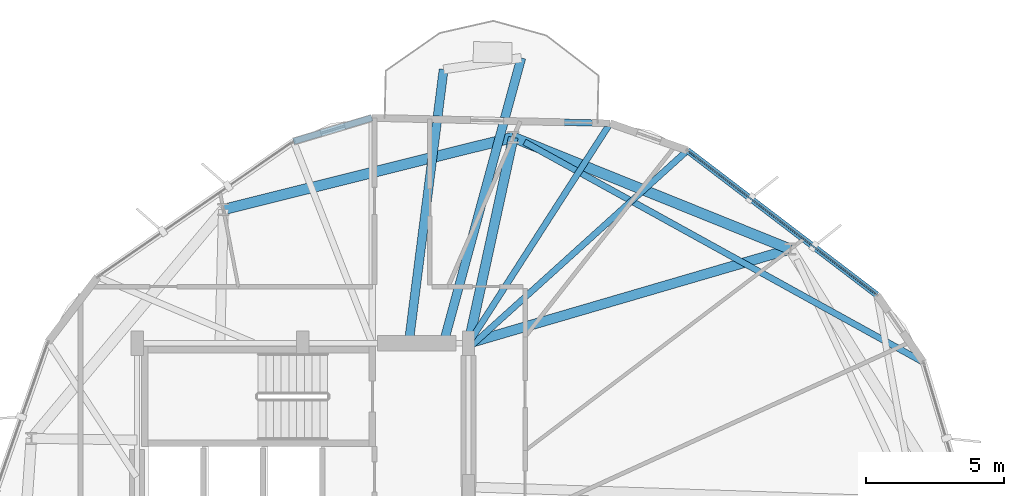
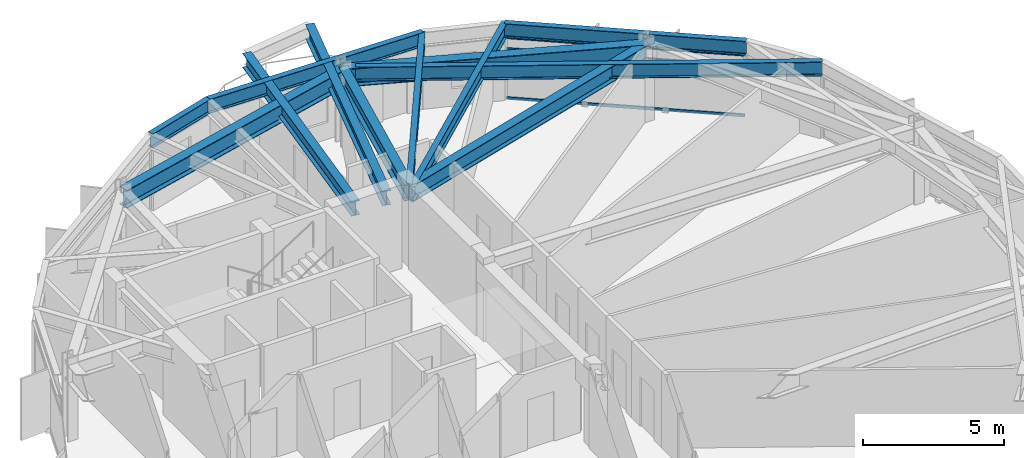
# One storey, part 12 of 22: 12 beams, 3 members, 1 element without a shape of its own.
"""IFC4 building model written with IfcOpenShell, lengths in metres."""

from ifc_helpers import new_model, si_unit, direction, frame, origin, origin_2d, place, context, subcontext, project, spatial, hollow_rectangle, i_section, extrude, material, layer, layer_set, material_profile, profile_set, type_object, element, aggregate, save


model = new_model("IFC4")

# Units and contexts
model_context = context("Model", 3, precision=1e-05, world=origin(), true_north=direction((0.0, 1.0)))
body_context = subcontext(model_context, "Body", "Model", "MODEL_VIEW")
ifc_project = project(units=[si_unit("LENGTHUNIT", "METRE"), si_unit("AREAUNIT", "SQUARE_METRE"), si_unit("VOLUMEUNIT", "CUBIC_METRE"), si_unit("PLANEANGLEUNIT", "RADIAN"), si_unit("MASSUNIT", "GRAM", prefix="KILO")], contexts=[model_context])

# Site, building, storey
site_placement = place(None, origin())
site = spatial("IfcSite", under=ifc_project, at=site_placement, CompositionType="ELEMENT")
building_placement = place(site_placement, origin())
building = spatial("IfcBuilding", under=site, at=building_placement, Name="Soratama Intermodal Tower", CompositionType="ELEMENT")
storey_placement = place(building_placement, frame((0.0, 0.0, 160.60009765625)))
storey = spatial("IfcBuildingStorey", under=building, at=storey_placement, Name="L39", CompositionType="ELEMENT", Elevation=160.60009765625)

# Beams
ifc_material_1 = material(Name="Structural steel ASTM A992 Grade 50", Category="steel")
ifc_material_profile_1 = material_profile(ifc_material_1, i_section(OverallWidth=0.324951171875, OverallDepth=0.615966796875, WebThickness=0.013916015625, FlangeThickness=0.021484375, FilletRadius=0.013916015625, at=origin_2d()), Name="W24X117")
ifc_profile_set_1 = profile_set([ifc_material_profile_1], Name="Structural steel ASTM A992 Grade 50")
beam_type_1 = type_object("IfcBeamType", Name="BM-CANT-W24X117", PredefinedType="BEAM", material=ifc_profile_set_1)
beam_1_placement = place(storey_placement, frame((43.7041015625, 35.0390625, 2.991943359375), z_axis=(0.263045774588, 0.964783354164, 0.0), x_axis=(-0.964783354164, 0.263045774588, 0.0)))
element("IfcBeam", 1, at=beam_1_placement, inside=storey, type_object=beam_type_1, Name="BM-L39-CANT-1-1", PredefinedType="BEAM", context=body_context, shape_type="SweptSolid", body=[
    extrude(i_section(OverallWidth=0.324951171875, OverallDepth=0.615966796875, WebThickness=0.013916015625, FlangeThickness=0.021484375, FilletRadius=0.013916015625, at=origin_2d()), origin(), (0.0, 0.0, 1.0), 10.670654296875),
])
beam_2_placement = place(storey_placement, frame((42.44091796875, 35.0400390625, 2.991943359375), z_axis=(0.126448625008, 0.991973157517, 0.0), x_axis=(-0.991973157517, 0.126448625008, 0.0)))
element("IfcBeam", 2, at=beam_2_placement, inside=storey, type_object=beam_type_1, Name="BM-L39-CANT-1-2", PredefinedType="BEAM", context=body_context, shape_type="SweptSolid", body=[
    extrude(i_section(OverallWidth=0.324951171875, OverallDepth=0.615966796875, WebThickness=0.013916015625, FlangeThickness=0.021484375, FilletRadius=0.013916015625, at=origin_2d()), origin(), (0.0, 0.0, 1.0), 9.956787109375),
])
ifc_material_2 = material(Name="Structural steel ASTM A992 Grade 50", Category="steel")
ifc_material_profile_2 = material_profile(ifc_material_2, i_section(OverallWidth=0.35498046875, OverallDepth=0.695068359375, WebThickness=0.015380859375, FlangeThickness=0.02490234375, FilletRadius=0.01611328125, at=origin_2d()), Name="W27X146")
ifc_profile_set_2 = profile_set([ifc_material_profile_2], Name="Structural steel ASTM A992 Grade 50")
beam_type_2 = type_object("IfcBeamType", Name="BM-RING-W27X146", PredefinedType="BEAM", material=ifc_profile_set_2)
beam_3_placement = place(storey_placement, frame((44.60009765625, 35.0, 2.952392578125), z_axis=(0.959813691047, 0.280637984738, 0.0), x_axis=(-0.280637984738, 0.959813691047, 0.0)))
element("IfcBeam", 3, at=beam_3_placement, inside=storey, type_object=beam_type_2, Name="BM-L39-RAD-02", PredefinedType="BEAM", context=body_context, shape_type="SweptSolid", body=[
    extrude(i_section(OverallWidth=0.35498046875, OverallDepth=0.695068359375, WebThickness=0.015380859375, FlangeThickness=0.02490234375, FilletRadius=0.01611328125, at=origin_2d()), origin(), (0.0, 0.0, 1.0), 12.13671875),
])
beam_4_placement = place(storey_placement, frame((44.60009765625, 35.0, 2.952392578125), z_axis=(0.212399095304, 0.977183004515, 0.0), x_axis=(-0.977183004515, 0.212399095304, 0.0)))
element("IfcBeam", 4, at=beam_4_placement, inside=storey, type_object=beam_type_2, Name="BM-L39-RAD-03", PredefinedType="BEAM", context=body_context, shape_type="SweptSolid", body=[
    extrude(i_section(OverallWidth=0.35498046875, OverallDepth=0.695068359375, WebThickness=0.015380859375, FlangeThickness=0.02490234375, FilletRadius=0.01611328125, at=origin_2d()), origin(), (0.0, 0.0, 1.0), 7.631103515625),
])
ifc_material_3 = material(Name="Structural steel ASTM A992 Grade 50", Category="steel")
ifc_material_profile_3 = material_profile(ifc_material_3, i_section(OverallWidth=0.382080078125, OverallDepth=0.779052734375, WebThickness=0.01806640625, FlangeThickness=0.030029296875, FilletRadius=0.01806640625, at=origin_2d()), Name="W30X191")
ifc_profile_set_3 = profile_set([ifc_material_profile_3], Name="Structural steel ASTM A992 Grade 50")
beam_type_3 = type_object("IfcBeamType", Name="BM-RING-W30X191", PredefinedType="BEAM", material=ifc_profile_set_3)
beam_5_placement = place(storey_placement, frame((56.2490234375, 38.406005859375, 2.910400390625), z_axis=(-0.927202491827, 0.374560461275, 0.0), x_axis=(-0.374560461275, -0.927202491827, 0.0)))
element("IfcBeam", 5, at=beam_5_placement, inside=storey, type_object=beam_type_3, Name="BM-L39-RING-02", PredefinedType="BEAM", context=body_context, shape_type="SweptSolid", body=[
    extrude(i_section(OverallWidth=0.382080078125, OverallDepth=0.779052734375, WebThickness=0.01806640625, FlangeThickness=0.030029296875, FilletRadius=0.01806640625, at=origin_2d()), origin(), (0.0, 0.0, 1.0), 10.8154296875),
])
beam_6_placement = place(storey_placement, frame((46.220947265625, 42.45703125, 2.910400390625), z_axis=(-0.970310893227, -0.241861056155, 0.0), x_axis=(0.241861056155, -0.970310893227, 0.0)))
element("IfcBeam", 6, at=beam_6_placement, inside=storey, type_object=beam_type_3, Name="BM-L39-RING-03", PredefinedType="BEAM", context=body_context, shape_type="SweptSolid", body=[
    extrude(i_section(OverallWidth=0.382080078125, OverallDepth=0.779052734375, WebThickness=0.01806640625, FlangeThickness=0.030029296875, FilletRadius=0.01806640625, at=origin_2d()), origin(), (0.0, 0.0, 1.0), 10.81591796875),
])
ifc_material_4 = material(Name="Structural steel ASTM A992 Grade 50", Category="steel")
ifc_material_profile_4 = material_profile(ifc_material_4, i_section(OverallWidth=0.22900390625, OverallDepth=0.612060546875, WebThickness=0.011962890625, FlangeThickness=0.01953125, FilletRadius=0.012939453125, at=origin_2d()), Name="W24X84")
ifc_profile_set_4 = profile_set([ifc_material_profile_4], Name="Structural steel ASTM A992 Grade 50")
beam_type_4 = type_object("IfcBeamType", Name="BM-SPN-W24X84", PredefinedType="SPANDREL", material=ifc_profile_set_4)
beam_7_placement = place(storey_placement, frame((59.382080078125, 36.7548828125, 2.993896484375), z_axis=(-0.795290000243, 0.606229177385, 0.0), x_axis=(-0.606229177385, -0.795290000243, 0.0)))
element("IfcBeam", 7, at=beam_7_placement, inside=storey, type_object=beam_type_4, Name="BS-L39-F01", PredefinedType="SPANDREL", context=body_context, shape_type="SweptSolid", body=[
    extrude(i_section(OverallWidth=0.22900390625, OverallDepth=0.612060546875, WebThickness=0.011962890625, FlangeThickness=0.01953125, FilletRadius=0.012939453125, at=origin_2d()), origin(), (0.0, 0.0, 1.0), 8.622314453125),
])
beam_8_placement = place(storey_placement, frame((49.72607421875, 42.962890625, 2.993896484375), z_axis=(-0.999732989387, 0.023107356655, 0.0), x_axis=(-0.023107356655, -0.999732989387, 0.0)))
element("IfcBeam", 8, at=beam_8_placement, inside=storey, type_object=beam_type_4, Name="BS-L39-F02", PredefinedType="SPANDREL", context=body_context, shape_type="SweptSolid", body=[
    extrude(i_section(OverallWidth=0.22900390625, OverallDepth=0.612060546875, WebThickness=0.011962890625, FlangeThickness=0.01953125, FilletRadius=0.012939453125, at=origin_2d()), origin(), (0.0, 0.0, 1.0), 8.621337890625),
])
beam_9_placement = place(storey_placement, frame((41.10693359375, 43.162109375, 2.993896484375), z_axis=(-0.957878358082, -0.287174252187, 0.0), x_axis=(0.287174252187, -0.957878358082, 0.0)))
element("IfcBeam", 9, at=beam_9_placement, inside=storey, type_object=beam_type_4, Name="BS-L39-CRN02", PredefinedType="SPANDREL", context=body_context, shape_type="SweptSolid", body=[
    extrude(i_section(OverallWidth=0.22900390625, OverallDepth=0.612060546875, WebThickness=0.011962890625, FlangeThickness=0.01953125, FilletRadius=0.012939453125, at=origin_2d()), origin(), (0.0, 0.0, 1.0), 2.967041015625),
])
ifc_material_5 = material(Name="Structural steel ASTM A992 Grade 50", Category="steel")
ifc_material_profile_5 = material_profile(ifc_material_5, i_section(OverallWidth=0.22900390625, OverallDepth=0.612060546875, WebThickness=0.011962890625, FlangeThickness=0.01953125, FilletRadius=0.012939453125, at=origin_2d()), Name="W24X84")
ifc_profile_set_5 = profile_set([ifc_material_profile_5], Name="Structural steel ASTM A992 Grade 50")
beam_type_5 = type_object("IfcBeamType", Name="BM-TIE-W24X84", PredefinedType="BEAM", material=ifc_profile_set_5)
beam_10_placement = place(storey_placement, frame((44.6298828125, 34.846923828125, 2.993896484375), z_axis=(0.74191449819, 0.670494502122, 0.0), x_axis=(-0.670494502122, 0.74191449819, 0.0)))
element("IfcBeam", 10, at=beam_10_placement, inside=storey, type_object=beam_type_5, Name="BM-L39-TIE1-01", PredefinedType="BEAM", context=body_context, shape_type="SweptSolid", body=[
    extrude(i_section(OverallWidth=0.22900390625, OverallDepth=0.612060546875, WebThickness=0.011962890625, FlangeThickness=0.01953125, FilletRadius=0.012939453125, at=origin_2d()), origin(), (0.0, 0.0, 1.0), 10.641357421875),
])
beam_11_placement = place(storey_placement, frame((44.6220703125, 35.02392578125, 2.993896484375), z_axis=(0.540786353437, 0.841159984745, 0.0), x_axis=(-0.841159984745, 0.540786353437, 0.0)))
element("IfcBeam", 11, at=beam_11_placement, inside=storey, type_object=beam_type_5, Name="BM-L39-TIE0-02", PredefinedType="BEAM", context=body_context, shape_type="SweptSolid", body=[
    extrude(i_section(OverallWidth=0.22900390625, OverallDepth=0.612060546875, WebThickness=0.011962890625, FlangeThickness=0.01953125, FilletRadius=0.012939453125, at=origin_2d()), origin(), (0.0, 0.0, 1.0), 9.438232421875),
])
beam_12_placement = place(storey_placement, frame((46.6259765625, 42.2880859375, 2.993896484375), z_axis=(0.875475362084, -0.483262755015, 0.0), x_axis=(0.483262755015, 0.875475362084, 0.0)))
element("IfcBeam", 12, at=beam_12_placement, inside=storey, type_object=beam_type_5, Name="BM-L39-TIE1-10", PredefinedType="BEAM", context=body_context, shape_type="SweptSolid", body=[
    extrude(i_section(OverallWidth=0.22900390625, OverallDepth=0.612060546875, WebThickness=0.011962890625, FlangeThickness=0.01953125, FilletRadius=0.012939453125, at=origin_2d()), origin(), (0.0, 0.0, 1.0), 16.49853515625),
])

# Curtain wall, members
ifc_material_6 = material(Name="Double-glazed aluminium curtain wall", Category="aluminium")
ifc_layer = layer(ifc_material_6, 0.159912109375)
ifc_layer_set = layer_set([ifc_layer], Name="Double-glazed aluminium curtain wall")
curtain_wall_type = type_object("IfcCurtainWallType", Name="CW-SYS-4", PredefinedType="NOTDEFINED", material=ifc_layer_set)
curtain_wall_placement = place(storey_placement, origin())
curtain_wall = element("IfcCurtainWall", 13, at=curtain_wall_placement, inside=storey, type_object=curtain_wall_type, Name="L39 Faceted Curtain Wall F01", PredefinedType="NOTDEFINED")
ifc_material_7 = material(Name="Anodised aluminium AA 6063-T6", Category="aluminium")
ifc_material_profile_6 = material_profile(ifc_material_7, hollow_rectangle(XDim=0.06005859375, YDim=0.1298828125, WallThickness=0.0048828125, InnerFilletRadius=0.0048828125, OuterFilletRadius=0.010009765625, at=origin_2d()), Name="CWT130X60X5")
ifc_profile_set_6 = profile_set([ifc_material_profile_6], Name="Anodised aluminium AA 6063-T6")
member_type = type_object("IfcMemberType", Name="TT-CWT-2", PredefinedType="USERDEFINED", material=ifc_profile_set_6)
member_1_placement = place(storey_placement, frame((59.333984375, 36.791015625, 0.02978515625), z_axis=(-0.795257655287, 0.606271607208, 0.0), x_axis=(-0.606271607208, -0.795257655287, 0.0)))
member_1 = element("IfcMember", 14, at=member_1_placement, type_object=member_type, Name="CW-4 transom 1.1", ObjectType="TRANSOM", PredefinedType="USERDEFINED", context=body_context, shape_type="SweptSolid", body=[
    extrude(hollow_rectangle(XDim=0.06005859375, YDim=0.1298828125, WallThickness=0.0048828125, InnerFilletRadius=0.0048828125, OuterFilletRadius=0.010009765625, at=origin_2d()), origin(), (0.0, 0.0, 1.0), 8.501708984375),
])
member_2_placement = place(storey_placement, frame((59.333984375, 36.791015625, 2.14990234375), z_axis=(-0.795257655287, 0.606271607208, 0.0), x_axis=(-0.606271607208, -0.795257655287, 0.0)))
member_2 = element("IfcMember", 15, at=member_2_placement, type_object=member_type, Name="CW-4 transom 1.2", ObjectType="TRANSOM", PredefinedType="USERDEFINED", context=body_context, shape_type="SweptSolid", body=[
    extrude(hollow_rectangle(XDim=0.06005859375, YDim=0.1298828125, WallThickness=0.0048828125, InnerFilletRadius=0.0048828125, OuterFilletRadius=0.010009765625, at=origin_2d()), origin(), (0.0, 0.0, 1.0), 8.501708984375),
])
member_3_placement = place(storey_placement, frame((59.333984375, 36.791015625, 2.64892578125), z_axis=(-0.795257655287, 0.606271607208, 0.0), x_axis=(-0.606271607208, -0.795257655287, 0.0)))
member_3 = element("IfcMember", 16, at=member_3_placement, type_object=member_type, Name="CW-4 transom 1.3", ObjectType="TRANSOM", PredefinedType="USERDEFINED", context=body_context, shape_type="SweptSolid", body=[
    extrude(hollow_rectangle(XDim=0.06005859375, YDim=0.1298828125, WallThickness=0.0048828125, InnerFilletRadius=0.0048828125, OuterFilletRadius=0.010009765625, at=origin_2d()), origin(), (0.0, 0.0, 1.0), 8.501708984375),
])
aggregate(curtain_wall, [member_1, member_2, member_3])

save(model, "model.ifc")
